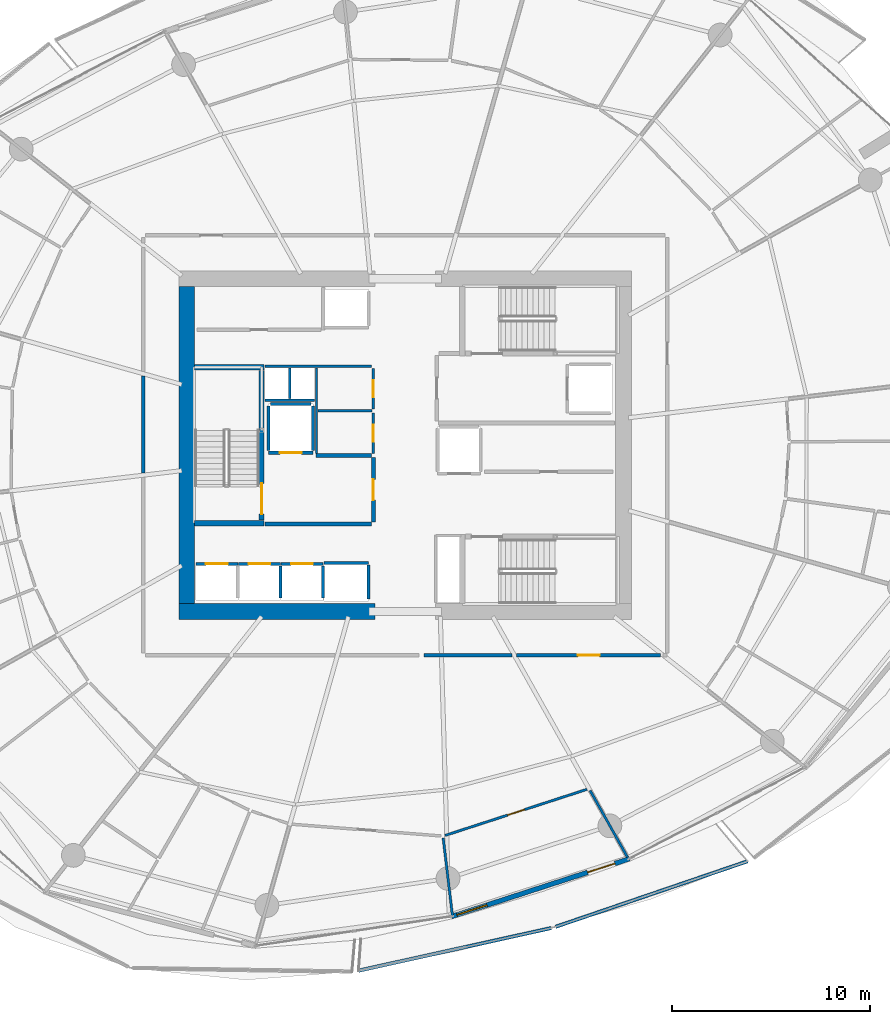
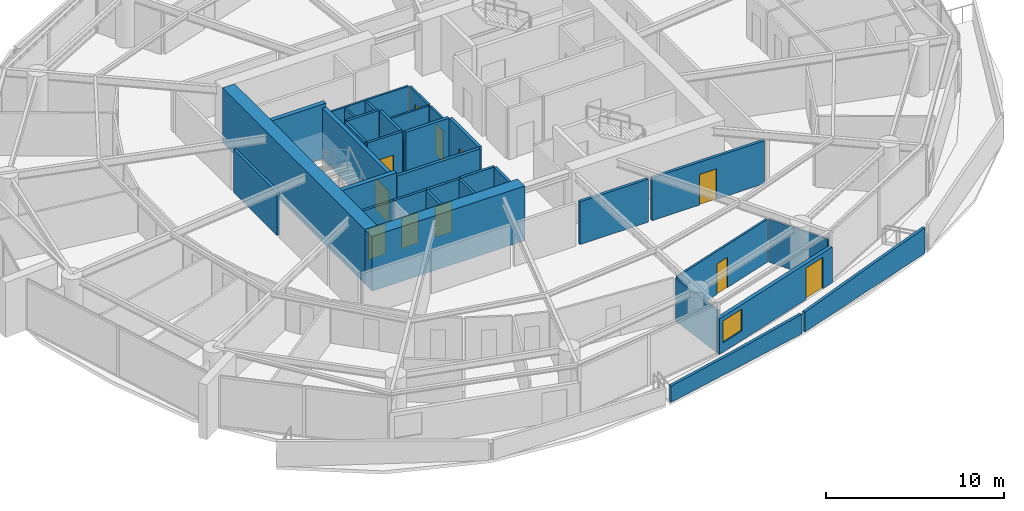
# One storey, part 12 of 22: 35 walls, 11 doors, 1 window, 12 openings.
"""IFC4 building model written with IfcOpenShell, lengths in metres."""

from ifc_helpers import new_model, si_unit, direction, frame, frame_2d, origin, place, context, subcontext, project, spatial, polyline, rectangle, outline, extrude, material, layer, layer_set, type_object, element, fill, save


model = new_model("IFC4")

# Units and contexts
model_context = context("Model", 3, precision=1e-05, world=origin(), true_north=direction((0.0, 1.0)))
body_context = subcontext(model_context, "Body", "Model", "MODEL_VIEW")
ifc_project = project(units=[si_unit("LENGTHUNIT", "METRE"), si_unit("AREAUNIT", "SQUARE_METRE"), si_unit("VOLUMEUNIT", "CUBIC_METRE"), si_unit("PLANEANGLEUNIT", "RADIAN"), si_unit("MASSUNIT", "GRAM", prefix="KILO")], contexts=[model_context])

# Site, building, storey
site_placement = place(None, origin())
site = spatial("IfcSite", under=ifc_project, at=site_placement, CompositionType="ELEMENT")
building_placement = place(site_placement, origin())
building = spatial("IfcBuilding", under=site, at=building_placement, Name="Kazma Halo Residences", CompositionType="ELEMENT")
storey_placement = place(building_placement, frame((0.0, 0.0, 93.89990234375)))
storey = spatial("IfcBuildingStorey", under=building, at=storey_placement, Name="L23", CompositionType="ELEMENT", Elevation=93.89990234375)

# Walls
ifc_material_1 = material(Name="White Concrete C50/60 Balustrade", Category="concrete")
ifc_layer_1 = layer(ifc_material_1, 0.179931640625)
ifc_layer_set_1 = layer_set([ifc_layer_1], Name="White Concrete C50/60 Balustrade")
wall_type_1 = type_object("IfcWallType", Name="WL-BAL-WAVE-180", PredefinedType="PARAPET", material=ifc_layer_set_1)
wall_1_placement = place(storey_placement, frame((46.0751953125, 15.47314453125, 0.0), z_axis=(0.0, 0.0, 1.0), x_axis=(0.976378265654, 0.216068235423, 0.0)))
element("IfcWall", 1, at=wall_1_placement, inside=storey, type_object=wall_type_1, Name="L23 white wave balustrade wall SSE.1", PredefinedType="PARAPET", context=body_context, shape_type="SweptSolid", body=[
    extrude(outline(polyline([(0.0, 0.0), (9.95458984375, 0.0), (9.95458984375, 1.34814453125), (4.977294921875, 1.18212890625), (0.0, 1.1201171875), (0.0, 0.0)])), frame((0.0, 0.08984375, 0.0), z_axis=(0.0, -1.0, 0.0), x_axis=(1.0, 0.0, 0.0)), (0.0, 0.0, 1.0), 0.179931640625),
])
wall_2_placement = place(storey_placement, frame((56.025390625, 17.688720703125, 0.0), z_axis=(0.0, 0.0, 1.0), x_axis=(0.94637474678, 0.323070949881, 0.0)))
element("IfcWall", 2, at=wall_2_placement, inside=storey, type_object=wall_type_1, Name="L23 white wave balustrade wall SSE.2", PredefinedType="PARAPET", context=body_context, shape_type="SweptSolid", body=[
    extrude(outline(polyline([(0.0, 0.0), (10.240966796875, 0.0), (10.240966796875, 1.7470703125), (5.12060546875, 1.56201171875), (0.0, 1.34814453125), (0.0, 0.0)])), frame((0.0, 0.08984375, 0.0), z_axis=(0.0, -1.0, 0.0), x_axis=(1.0, 0.0, 0.0)), (0.0, 0.0, 1.0), 0.179931640625),
])
ifc_material_2 = material(Name="Concrete C80/95", Category="concrete")
ifc_layer_2 = layer(ifc_material_2, 0.800048828125)
ifc_layer_set_2 = layer_set([ifc_layer_2], Name="Concrete C80/95")
wall_type_2 = type_object("IfcWallType", Name="WL-CORE-800", PredefinedType="SHEAR", material=ifc_layer_set_2)
wall_3_placement = place(storey_placement, frame((37.0, 33.60009765625, 0.0), z_axis=(0.0, 0.0, 1.0), x_axis=(1.0, 0.0, 0.0)))
element("IfcWall", 3, at=wall_3_placement, inside=storey, type_object=wall_type_2, Name="L23 central core shear wall SW", PredefinedType="SHEAR", context=body_context, shape_type="SweptSolid", body=[
    extrude(rectangle(XDim=9.89990234375, YDim=0.800048828125, at=frame_2d((4.949951171875, 0.0))), origin(), (0.0, 0.0, 1.0), 3.75),
])
wall_4_placement = place(storey_placement, frame((37.39990234375, 34.0, 0.0), z_axis=(0.0, 0.0, 1.0), x_axis=(0.0, 1.0, 0.0)))
element("IfcWall", 4, at=wall_4_placement, inside=storey, type_object=wall_type_2, Name="L23 central core shear wall W", PredefinedType="SHEAR", context=body_context, shape_type="SweptSolid", body=[
    extrude(rectangle(XDim=16.0, YDim=0.800048828125, at=frame_2d((8.0, 0.0))), origin(), (0.0, 0.0, 1.0), 3.75),
])
ifc_material_3 = material(Name="Concrete C60/75", Category="concrete")
ifc_layer_3 = layer(ifc_material_3, 0.280029296875)
ifc_layer_set_3 = layer_set([ifc_layer_3], Name="Concrete C60/75")
wall_type_3 = type_object("IfcWallType", Name="WL-CORE-ST-280", PredefinedType="SHEAR", material=ifc_layer_set_3)
for number, where, z_axis, x_axis, name in (
    (5, (37.800048828125, 38.06005859375, 0.0), (0.0, 0.0, 1.0), (1.0, 0.0, 0.0), "L23 stairwell bearing wall ST01-S"),
    (6, (37.800048828125, 45.93994140625, 0.0), (0.0, 0.0, 1.0), (1.0, 0.0, 0.0), "L23 stairwell bearing wall ST01-N"),
):
    element("IfcWall", number, at=place(storey_placement, frame(where, z_axis=z_axis, x_axis=x_axis)), inside=storey, type_object=wall_type_3, Name=name, PredefinedType="SHEAR", context=body_context, shape_type="SweptSolid", body=[
        extrude(rectangle(XDim=3.5, YDim=0.280029296875, at=frame_2d((1.75, 0.0))), origin(), (0.0, 0.0, 1.0), 3.75),
    ])
ifc_material_4 = material(Name="Acoustic Twin-Stud Gypsum")
ifc_layer_4 = layer(ifc_material_4, 0.179931640625)
ifc_layer_set_4 = layer_set([ifc_layer_4], Name="Acoustic Twin-Stud Gypsum")
wall_type_4 = type_object("IfcWallType", Name="WL-DEM-180", PredefinedType="PARTITIONING", material=ifc_layer_set_4)
wall_5_placement = place(storey_placement, frame((35.199951171875, 45.489990234375, 0.0), z_axis=(0.0, 0.0, 1.0), x_axis=(0.0, -1.0, 0.0)))
element("IfcWall", 7, at=wall_5_placement, inside=storey, type_object=wall_type_4, Name="L23 Apartment 1 inner wall 6", PredefinedType="PARTITIONING", context=body_context, shape_type="SweptSolid", body=[
    extrude(rectangle(XDim=4.885009765625, YDim=0.179931640625, at=frame_2d((2.4423828125, 0.0))), origin(), (0.0, 0.0, 1.0), 2.940185546875),
])

# Wall, opening, door
wall_6_placement = place(storey_placement, frame((54.056396484375, 31.39990234375, 0.0), z_axis=(0.0, 0.0, 1.0), x_axis=(1.0, 0.0, 0.0)))
wall_6 = element("IfcWall", 8, at=wall_6_placement, inside=storey, type_object=wall_type_4, Name="L23 Apartment 2 entrance corridor wall", PredefinedType="PARTITIONING", context=body_context, shape_type="SweptSolid", body=[
    extrude(rectangle(XDim=7.26953125, YDim=0.179931640625, at=frame_2d((3.634765625, 0.0))), origin(), (0.0, 0.0, 1.0), 2.940185546875),
])
opening_1_placement = place(wall_6_placement, frame((3.0849609375, 0.0, 0.0)))
opening_1 = element("IfcOpeningElement", 9, at=opening_1_placement, cuts=wall_6, Name="Opening DA-1100", PredefinedType="OPENING", context=body_context, shape_type="SweptSolid", body=[
    extrude(rectangle(XDim=1.10009765625, YDim=2.10009765625, at=frame_2d((0.550048828125, 1.050048828125))), frame((0.0, 0.099853515625, 0.0), z_axis=(0.0, -1.0, 0.0), x_axis=(1.0, 0.0, 0.0)), (0.0, 0.0, 1.0), 0.199951171875),
])
ifc_material_5 = material(Name="Acoustic Walnut Fire Leaf")
door_type_1 = type_object("IfcDoorType", Name="DR-FD60-1100", OperationType="NOTDEFINED", PredefinedType="DOOR", material=ifc_material_5)
door_1_placement = place(opening_1_placement, origin())
door_1 = element("IfcDoor", 10, at=door_1_placement, inside=storey, type_object=door_type_1, Name="L23 Apartment 2 entrance fire door", OperationType="SINGLE_SWING_RIGHT", OverallHeight=2.10009765625, OverallWidth=1.10009765625, PredefinedType="DOOR", context=body_context, shape_type="SweptSolid", body=[
    extrude(rectangle(XDim=1.10009765625, YDim=2.10009765625, at=frame_2d((0.550048828125, 1.050048828125))), frame((0.0, 0.02490234375, 0.0), z_axis=(0.0, -1.0, 0.0), x_axis=(1.0, 0.0, 0.0)), (0.0, 0.0, 1.0), 0.050048828125),
])
fill(opening_1, door_1)

# Wall
wall_7_placement = place(storey_placement, frame((49.37451171875, 31.39990234375, 0.0), z_axis=(0.0, 0.0, 1.0), x_axis=(1.0, 0.0, 0.0)))
element("IfcWall", 11, at=wall_7_placement, inside=storey, type_object=wall_type_4, Name="L23 Apartment 2 inner wall 11", PredefinedType="PARTITIONING", context=body_context, shape_type="SweptSolid", body=[
    extrude(rectangle(XDim=4.44189453125, YDim=0.179931640625, at=frame_2d((2.220947265625, 0.0))), origin(), (0.0, 0.0, 1.0), 2.940185546875),
])

# Wall, openings, door, window
ifc_material_6 = material(Name="Insulated Pale-Metal Composite Wall")
ifc_layer_5 = layer(ifc_material_6, 0.239990234375)
ifc_layer_set_5 = layer_set([ifc_layer_5], Name="Insulated Pale-Metal Composite Wall")
wall_type_5 = type_object("IfcWallType", Name="WL-EXT-HOST-240", PredefinedType="SOLIDWALL", material=ifc_layer_set_5)
wall_8_placement = place(storey_placement, frame((50.76708984375, 18.202880859375, 0.0), z_axis=(0.0, 0.0, 1.0), x_axis=(0.951052494852, 0.30902937083, 0.0)))
wall_8 = element("IfcWall", 12, at=wall_8_placement, inside=storey, type_object=wall_type_5, Name="L23 exterior terrace-access wall B12", PredefinedType="SOLIDWALL", context=body_context, shape_type="SweptSolid", body=[
    extrude(rectangle(XDim=9.44384765625, YDim=0.239990234375, at=frame_2d((4.721923828125, 0.0))), origin(), (0.0, 0.0, 1.0), 2.4501953125),
])
opening_2_placement = place(wall_8_placement, frame((7.223876953125, 0.0, 0.0)))
opening_2 = element("IfcOpeningElement", 13, at=opening_2_placement, cuts=wall_8, Name="Opening DTR-1600", PredefinedType="OPENING", context=body_context, shape_type="SweptSolid", body=[
    extrude(rectangle(XDim=1.449951171875, YDim=2.14990234375, at=frame_2d((0.72509765625, 1.074951171875))), frame((0.0, 0.1298828125, 0.0), z_axis=(0.0, -1.0, 0.0), x_axis=(1.0, 0.0, 0.0)), (0.0, 0.0, 1.0), 0.260009765625),
])
opening_3_placement = place(wall_8_placement, frame((0.280029296875, 0.0, 0.64990234375)))
opening_3 = element("IfcOpeningElement", 14, at=opening_3_placement, cuts=wall_8, Name="Opening W-1800", PredefinedType="OPENING", context=body_context, shape_type="SweptSolid", body=[
    extrude(rectangle(XDim=1.60009765625, YDim=1.5, at=frame_2d((0.800048828125, 0.75))), frame((0.0, 0.1298828125, 0.0), z_axis=(0.0, -1.0, 0.0), x_axis=(1.0, 0.0, 0.0)), (0.0, 0.0, 1.0), 0.260009765625),
])
ifc_material_7 = material(Name="Aluminium AW-6063 T6 Double-Glazed Terrace Door", Category="aluminium")
door_type_2 = type_object("IfcDoorType", Name="DR-EXT-TERR-1600", OperationType="NOTDEFINED", PredefinedType="DOOR", material=ifc_material_7)
door_2_placement = place(opening_2_placement, origin())
door_2 = element("IfcDoor", 15, at=door_2_placement, inside=storey, type_object=door_type_2, Name="L23 B12 balcony terrace door", OperationType="DOUBLE_DOOR_SLIDING", OverallHeight=2.14990234375, OverallWidth=1.449951171875, PredefinedType="DOOR", context=body_context, shape_type="SweptSolid", body=[
    extrude(rectangle(XDim=1.449951171875, YDim=2.14990234375, at=frame_2d((0.72509765625, 1.074951171875))), frame((0.0, 0.02490234375, 0.0), z_axis=(0.0, -1.0, 0.0), x_axis=(1.0, 0.0, 0.0)), (0.0, 0.0, 1.0), 0.050048828125),
])
fill(opening_2, door_2)
ifc_material_8 = material(Name="Clear Triple-Silver Low-E Glass in Aluminium AW-6063 T6 Frame", Category="aluminium")
window_type = type_object("IfcWindowType", Name="WIN-RES-1800", PartitioningType="DOUBLE_PANEL_VERTICAL", PredefinedType="WINDOW", material=ifc_material_8)
window_placement = place(opening_3_placement, origin())
window = element("IfcWindow", 16, at=window_placement, inside=storey, type_object=window_type, Name="L23 B12 apartment window", OverallHeight=1.5, OverallWidth=1.60009765625, PartitioningType="SINGLE_PANEL", PredefinedType="WINDOW", context=body_context, shape_type="SweptSolid", body=[
    extrude(rectangle(XDim=1.60009765625, YDim=1.5, at=frame_2d((0.800048828125, 0.75))), frame((0.0, 0.030029296875, 0.0), z_axis=(0.0, -1.0, 0.0), x_axis=(1.0, 0.0, 0.0)), (0.0, 0.0, 1.0), 0.06005859375),
])
fill(opening_3, window)

# Wall, opening, door
ifc_material_9 = material(Name="Fire-Rated Blockwork Masonry", Category="masonry")
ifc_layer_6 = layer(ifc_material_9, 0.199951171875)
ifc_layer_set_6 = layer_set([ifc_layer_6], Name="Fire-Rated Blockwork Masonry")
wall_type_6 = type_object("IfcWallType", Name="WL-FLB-200", PredefinedType="PARTITIONING", material=ifc_layer_set_6)
wall_9_placement = place(storey_placement, frame((37.864990234375, 36.0048828125, 0.0), z_axis=(0.0, 0.0, 1.0), x_axis=(1.0, 0.0, 0.0)))
wall_9 = element("IfcWall", 17, at=wall_9_placement, inside=storey, type_object=wall_type_6, Name="L23 lift shaft PL-01 front wall", PredefinedType="PARTITIONING", context=body_context, shape_type="SweptSolid", body=[
    extrude(rectangle(XDim=2.110107421875, YDim=0.159912109375, at=frame_2d((1.05517578125, 0.0))), origin(), (0.0, 0.0, 1.0), 3.5),
])
opening_4_placement = place(wall_9_placement, frame((0.5048828125, 0.0, 0.0)))
opening_4 = element("IfcOpeningElement", 18, at=opening_4_placement, cuts=wall_9, Name="Opening LD-PL-01", PredefinedType="OPENING", context=body_context, shape_type="SweptSolid", body=[
    extrude(rectangle(XDim=1.10009765625, YDim=2.10009765625, at=frame_2d((0.550048828125, 1.050048828125))), frame((0.0, 0.08984375, 0.0), z_axis=(0.0, -1.0, 0.0), x_axis=(1.0, 0.0, 0.0)), (0.0, 0.0, 1.0), 0.179931640625),
])
ifc_material_10 = material(Name="Stainless Steel Fire-Rated", Category="steel")
door_type_3 = type_object("IfcDoorType", Name="DR-LIFT-SLD-1100", OperationType="DOUBLE_DOOR_SLIDING", PredefinedType="DOOR", material=ifc_material_10)
door_3_placement = place(opening_4_placement, origin())
door_3 = element("IfcDoor", 19, at=door_3_placement, inside=storey, type_object=door_type_3, Name="L23 lift PL-01 sliding landing door", OperationType="DOUBLE_DOOR_SLIDING", OverallHeight=2.10009765625, OverallWidth=1.10009765625, PredefinedType="DOOR", context=body_context, shape_type="SweptSolid", body=[
    extrude(rectangle(XDim=1.10009765625, YDim=2.10009765625, at=frame_2d((0.550048828125, 1.050048828125))), frame((0.0, 0.02490234375, 0.0), z_axis=(0.0, -1.0, 0.0), x_axis=(1.0, 0.0, 0.0)), (0.0, 0.0, 1.0), 0.050048828125),
])
fill(opening_4, door_3)

wall_10_placement = place(storey_placement, frame((40.014892578125, 36.0048828125, 0.0), z_axis=(0.0, 0.0, 1.0), x_axis=(1.0, 0.0, 0.0)))
wall_10 = element("IfcWall", 20, at=wall_10_placement, inside=storey, type_object=wall_type_6, Name="L23 lift shaft PL-02 front wall", PredefinedType="PARTITIONING", context=body_context, shape_type="SweptSolid", body=[
    extrude(rectangle(XDim=2.110107421875, YDim=0.159912109375, at=frame_2d((1.05517578125, 0.0))), origin(), (0.0, 0.0, 1.0), 3.5),
])
opening_5_placement = place(wall_10_placement, frame((0.5048828125, 0.0, 0.0)))
opening_5 = element("IfcOpeningElement", 21, at=opening_5_placement, cuts=wall_10, Name="Opening LD-PL-02", PredefinedType="OPENING", context=body_context, shape_type="SweptSolid", body=[
    extrude(rectangle(XDim=1.10009765625, YDim=2.10009765625, at=frame_2d((0.550048828125, 1.050048828125))), frame((0.0, 0.08984375, 0.0), z_axis=(0.0, -1.0, 0.0), x_axis=(1.0, 0.0, 0.0)), (0.0, 0.0, 1.0), 0.179931640625),
])
door_4_placement = place(opening_5_placement, origin())
door_4 = element("IfcDoor", 22, at=door_4_placement, inside=storey, type_object=door_type_3, Name="L23 lift PL-02 sliding landing door", OperationType="DOUBLE_DOOR_SLIDING", OverallHeight=2.10009765625, OverallWidth=1.10009765625, PredefinedType="DOOR", context=body_context, shape_type="SweptSolid", body=[
    extrude(rectangle(XDim=1.10009765625, YDim=2.10009765625, at=frame_2d((0.550048828125, 1.050048828125))), frame((0.0, 0.02490234375, 0.0), z_axis=(0.0, -1.0, 0.0), x_axis=(1.0, 0.0, 0.0)), (0.0, 0.0, 1.0), 0.050048828125),
])
fill(opening_5, door_4)

# Wall
wall_11_placement = place(storey_placement, frame((42.125, 34.294921875, 0.0), z_axis=(0.0, 0.0, 1.0), x_axis=(0.0, 1.0, 0.0)))
element("IfcWall", 23, at=wall_11_placement, inside=storey, type_object=wall_type_6, Name="L23 lift shaft PL-02 side wall E", PredefinedType="PARTITIONING", context=body_context, shape_type="SweptSolid", body=[
    extrude(rectangle(XDim=1.610107421875, YDim=0.159912109375, at=frame_2d((0.80517578125, 0.0))), origin(), (0.0, 0.0, 1.0), 3.5),
])

# Wall, opening, door
wall_12_placement = place(storey_placement, frame((42.1650390625, 36.0048828125, 0.0), z_axis=(0.0, 0.0, 1.0), x_axis=(1.0, 0.0, 0.0)))
wall_12 = element("IfcWall", 24, at=wall_12_placement, inside=storey, type_object=wall_type_6, Name="L23 lift shaft PL-03 front wall", PredefinedType="PARTITIONING", context=body_context, shape_type="SweptSolid", body=[
    extrude(rectangle(XDim=2.10986328125, YDim=0.159912109375, at=frame_2d((1.054931640625, 0.0))), origin(), (0.0, 0.0, 1.0), 3.5),
])
opening_6_placement = place(wall_12_placement, frame((0.5048828125, 0.0, 0.0)))
opening_6 = element("IfcOpeningElement", 25, at=opening_6_placement, cuts=wall_12, Name="Opening LD-PL-03", PredefinedType="OPENING", context=body_context, shape_type="SweptSolid", body=[
    extrude(rectangle(XDim=1.10009765625, YDim=2.10009765625, at=frame_2d((0.550048828125, 1.050048828125))), frame((0.0, 0.08984375, 0.0), z_axis=(0.0, -1.0, 0.0), x_axis=(1.0, 0.0, 0.0)), (0.0, 0.0, 1.0), 0.179931640625),
])
door_5_placement = place(opening_6_placement, origin())
door_5 = element("IfcDoor", 26, at=door_5_placement, inside=storey, type_object=door_type_3, Name="L23 lift PL-03 sliding landing door", OperationType="DOUBLE_DOOR_SLIDING", OverallHeight=2.10009765625, OverallWidth=1.10009765625, PredefinedType="DOOR", context=body_context, shape_type="SweptSolid", body=[
    extrude(rectangle(XDim=1.10009765625, YDim=2.10009765625, at=frame_2d((0.550048828125, 1.050048828125))), frame((0.0, 0.02490234375, 0.0), z_axis=(0.0, -1.0, 0.0), x_axis=(1.0, 0.0, 0.0)), (0.0, 0.0, 1.0), 0.050048828125),
])
fill(opening_6, door_5)

# Walls
wall_13_placement = place(storey_placement, frame((44.27490234375, 34.294921875, 0.0), z_axis=(0.0, 0.0, 1.0), x_axis=(0.0, 1.0, 0.0)))
element("IfcWall", 27, at=wall_13_placement, inside=storey, type_object=wall_type_6, Name="L23 lift shaft PL-03 side wall E", PredefinedType="PARTITIONING", context=body_context, shape_type="SweptSolid", body=[
    extrude(rectangle(XDim=1.610107421875, YDim=0.159912109375, at=frame_2d((0.80517578125, 0.0))), origin(), (0.0, 0.0, 1.0), 3.5),
])
wall_14_placement = place(storey_placement, frame((44.320068359375, 36.054931640625, 0.0), z_axis=(0.0, 0.0, 1.0), x_axis=(1.0, 0.0, 0.0)))
element("IfcWall", 28, at=wall_14_placement, inside=storey, type_object=wall_type_6, Name="L23 lift shaft PX-02 front wall", PredefinedType="PARTITIONING", context=body_context, shape_type="SweptSolid", body=[
    extrude(rectangle(XDim=2.260009765625, YDim=0.159912109375, at=frame_2d((1.1298828125, 0.0))), origin(), (0.0, 0.0, 1.0), 3.5),
])
wall_15_placement = place(storey_placement, frame((46.580078125, 34.2451171875, 0.0), z_axis=(0.0, 0.0, 1.0), x_axis=(0.0, 1.0, 0.0)))
element("IfcWall", 29, at=wall_15_placement, inside=storey, type_object=wall_type_6, Name="L23 lift shaft PX-02 side wall E", PredefinedType="PARTITIONING", context=body_context, shape_type="SweptSolid", body=[
    extrude(rectangle(XDim=1.7099609375, YDim=0.159912109375, at=frame_2d((0.85498046875, 0.0))), origin(), (0.0, 0.0, 1.0), 3.5),
])

# Wall, opening, door
wall_16_placement = place(storey_placement, frame((43.780029296875, 41.6201171875, 0.0), z_axis=(0.0, 0.0, 1.0), x_axis=(-1.0, 0.0, 0.0)))
wall_16 = element("IfcWall", 30, at=wall_16_placement, inside=storey, type_object=wall_type_6, Name="L23 lift shaft FL-01 front wall", PredefinedType="PARTITIONING", context=body_context, shape_type="SweptSolid", body=[
    extrude(rectangle(XDim=2.260009765625, YDim=0.159912109375, at=frame_2d((1.1298828125, 0.0))), origin(), (0.0, 0.0, 1.0), 3.5),
])
opening_7_placement = place(wall_16_placement, frame((0.580078125, 0.0, 0.0)))
opening_7 = element("IfcOpeningElement", 31, at=opening_7_placement, cuts=wall_16, Name="Opening LD-FL-01", PredefinedType="OPENING", context=body_context, shape_type="SweptSolid", body=[
    extrude(rectangle(XDim=1.10009765625, YDim=2.10009765625, at=frame_2d((0.550048828125, 1.050048828125))), frame((0.0, 0.08984375, 0.0), z_axis=(0.0, -1.0, 0.0), x_axis=(1.0, 0.0, 0.0)), (0.0, 0.0, 1.0), 0.179931640625),
])
door_6_placement = place(opening_7_placement, origin())
door_6 = element("IfcDoor", 32, at=door_6_placement, inside=storey, type_object=door_type_3, Name="L23 lift FL-01 sliding landing door", OperationType="DOUBLE_DOOR_SLIDING", OverallHeight=2.10009765625, OverallWidth=1.10009765625, PredefinedType="DOOR", context=body_context, shape_type="SweptSolid", body=[
    extrude(rectangle(XDim=1.10009765625, YDim=2.10009765625, at=frame_2d((0.550048828125, 1.050048828125))), frame((0.0, 0.02490234375, 0.0), z_axis=(0.0, -1.0, 0.0), x_axis=(1.0, 0.0, 0.0)), (0.0, 0.0, 1.0), 0.050048828125),
])
fill(opening_7, door_6)

# Walls
for number, where, z_axis, x_axis, name in (
    (33, (43.780029296875, 41.719970703125, 0.0), (0.0, 0.0, 1.0), (0.0, 1.0, 0.0), "L23 lift shaft FL-01 side wall E"),
    (34, (41.52001953125, 41.719970703125, 0.0), (0.0, 0.0, 1.0), (0.0, 1.0, 0.0), "L23 lift shaft FL-01 side wall W"),
):
    element("IfcWall", number, at=place(storey_placement, frame(where, z_axis=z_axis, x_axis=x_axis)), inside=storey, type_object=wall_type_6, Name=name, PredefinedType="PARTITIONING", context=body_context, shape_type="SweptSolid", body=[
        extrude(rectangle(XDim=2.260009765625, YDim=0.159912109375, at=frame_2d((1.1298828125, 0.0))), origin(), (0.0, 0.0, 1.0), 3.5),
    ])
wall_17_placement = place(storey_placement, frame((41.6201171875, 44.080078125, 0.0), z_axis=(0.0, 0.0, 1.0), x_axis=(1.0, 0.0, 0.0)))
element("IfcWall", 35, at=wall_17_placement, inside=storey, type_object=wall_type_6, Name="L23 lift shaft FL-01 side wall N", PredefinedType="PARTITIONING", context=body_context, shape_type="SweptSolid", body=[
    extrude(rectangle(XDim=2.059814453125, YDim=0.159912109375, at=frame_2d((1.02978515625, 0.0))), origin(), (0.0, 0.0, 1.0), 3.5),
])
wall_18_placement = place(storey_placement, frame((41.35009765625, 38.02001953125, 0.0), z_axis=(0.0, 0.0, 1.0), x_axis=(1.0, 0.0, 0.0)))
element("IfcWall", 36, at=wall_18_placement, inside=storey, type_object=wall_type_6, Name="L23 west firefighting lobby south smoke wall", PredefinedType="PARTITIONING", context=body_context, shape_type="SweptSolid", body=[
    extrude(rectangle(XDim=5.369873046875, YDim=0.199951171875, at=frame_2d((2.68505859375, 0.0))), origin(), (0.0, 0.0, 1.0), 3.5),
])
wall_19_placement = place(storey_placement, frame((43.919921875, 41.47998046875, 0.0), z_axis=(0.0, 0.0, 1.0), x_axis=(1.0, 0.0, 0.0)))
element("IfcWall", 37, at=wall_19_placement, inside=storey, type_object=wall_type_6, Name="L23 west firefighting lobby north smoke wall", PredefinedType="PARTITIONING", context=body_context, shape_type="SweptSolid", body=[
    extrude(rectangle(XDim=2.800048828125, YDim=0.199951171875, at=frame_2d((1.39990234375, 0.0))), origin(), (0.0, 0.0, 1.0), 3.5),
])

# Wall, opening, door
wall_20_placement = place(storey_placement, frame((46.820068359375, 38.1201171875, 0.0), z_axis=(0.0, 0.0, 1.0), x_axis=(0.0, 1.0, 0.0)))
wall_20 = element("IfcWall", 38, at=wall_20_placement, inside=storey, type_object=wall_type_6, Name="L23 west firefighting lobby smoke wall", PredefinedType="PARTITIONING", context=body_context, shape_type="SweptSolid", body=[
    extrude(rectangle(XDim=3.259765625, YDim=0.199951171875, at=frame_2d((1.6298828125, 0.0))), origin(), (0.0, 0.0, 1.0), 3.5),
])
opening_8_placement = place(wall_20_placement, frame((1.10498046875, 0.0, 0.0)))
opening_8 = element("IfcOpeningElement", 39, at=opening_8_placement, cuts=wall_20, Name="Opening D-FLW", PredefinedType="OPENING", context=body_context, shape_type="SweptSolid", body=[
    extrude(rectangle(XDim=1.050048828125, YDim=2.10009765625, at=frame_2d((0.52490234375, 1.050048828125))), frame((0.0, 0.10986328125, 0.0), z_axis=(0.0, -1.0, 0.0), x_axis=(1.0, 0.0, 0.0)), (0.0, 0.0, 1.0), 0.219970703125),
])
ifc_material_11 = material(Name="Fire-Rated Steel Leaf", Category="steel")
door_type_4 = type_object("IfcDoorType", Name="DR-FD90-1050", OperationType="NOTDEFINED", PredefinedType="DOOR", material=ifc_material_11)
door_7_placement = place(opening_8_placement, origin())
door_7 = element("IfcDoor", 40, at=door_7_placement, inside=storey, type_object=door_type_4, Name="L23 west firefighting lobby smoke door", OperationType="SINGLE_SWING_RIGHT", OverallHeight=2.10009765625, OverallWidth=1.050048828125, PredefinedType="DOOR", context=body_context, shape_type="SweptSolid", body=[
    extrude(rectangle(XDim=1.050048828125, YDim=2.10009765625, at=frame_2d((0.52490234375, 1.050048828125))), frame((0.0, 0.02490234375, 0.0), z_axis=(0.0, -1.0, 0.0), x_axis=(1.0, 0.0, 0.0)), (0.0, 0.0, 1.0), 0.050048828125),
])
fill(opening_8, door_7)

# Walls
ifc_material_12 = material(Name="Gypsum Plasterboard Partition")
ifc_layer_7 = layer(ifc_material_12, 0.125)
ifc_layer_set_7 = layer_set([ifc_layer_7], Name="Gypsum Plasterboard Partition")
wall_type_7 = type_object("IfcWallType", Name="WL-PART-125", PredefinedType="PARTITIONING", material=ifc_layer_set_7)
wall_21_placement = place(storey_placement, frame((41.360107421875, 45.97998046875, 0.0), z_axis=(0.0, 0.0, 1.0), x_axis=(1.0, 0.0, 0.0)))
element("IfcWall", 41, at=wall_21_placement, inside=storey, type_object=wall_type_7, Name="L23 core north riser wall", PredefinedType="PARTITIONING", context=body_context, shape_type="SweptSolid", body=[
    extrude(rectangle(XDim=5.35986328125, YDim=0.125, at=frame_2d((2.679931640625, 0.0))), origin(), (0.0, 0.0, 1.0), 2.940185546875),
])
wall_22_placement = place(storey_placement, frame((41.360107421875, 44.260009765625, 0.0), z_axis=(0.0, 0.0, 1.0), x_axis=(1.0, 0.0, 0.0)))
element("IfcWall", 42, at=wall_22_placement, inside=storey, type_object=wall_type_7, Name="L23 core riser south wall", PredefinedType="PARTITIONING", context=body_context, shape_type="SweptSolid", body=[
    extrude(rectangle(XDim=2.5, YDim=0.125, at=frame_2d((1.25, 0.0))), origin(), (0.0, 0.0, 1.0), 2.940185546875),
])
wall_23_placement = place(storey_placement, frame((42.60009765625, 44.35009765625, 0.0), z_axis=(0.0, 0.0, 1.0), x_axis=(0.0, 1.0, 0.0)))
element("IfcWall", 43, at=wall_23_placement, inside=storey, type_object=wall_type_7, Name="L23 core riser divider wall", PredefinedType="PARTITIONING", context=body_context, shape_type="SweptSolid", body=[
    extrude(rectangle(XDim=1.5498046875, YDim=0.125, at=frame_2d((0.77490234375, 0.0))), origin(), (0.0, 0.0, 1.0), 2.940185546875),
])
wall_24_placement = place(storey_placement, frame((43.949951171875, 41.580078125, 0.0), z_axis=(0.0, 0.0, 1.0), x_axis=(0.0, 1.0, 0.0)))
element("IfcWall", 44, at=wall_24_placement, inside=storey, type_object=wall_type_7, Name="L23 core service west wall", PredefinedType="PARTITIONING", context=body_context, shape_type="SweptSolid", body=[
    extrude(rectangle(XDim=4.31982421875, YDim=0.125, at=frame_2d((2.159912109375, 0.0))), origin(), (0.0, 0.0, 1.0), 2.940185546875),
])
wall_25_placement = place(storey_placement, frame((44.030029296875, 43.72998046875, 0.0), z_axis=(0.0, 0.0, 1.0), x_axis=(1.0, 0.0, 0.0)))
element("IfcWall", 45, at=wall_25_placement, inside=storey, type_object=wall_type_7, Name="L23 switch/IDF divider", PredefinedType="PARTITIONING", context=body_context, shape_type="SweptSolid", body=[
    extrude(rectangle(XDim=2.7099609375, YDim=0.125, at=frame_2d((1.35498046875, 0.0))), origin(), (0.0, 0.0, 1.0), 2.940185546875),
])

# Wall, opening, door
wall_26_placement = place(storey_placement, frame((46.820068359375, 41.580078125, 0.0), z_axis=(0.0, 0.0, 1.0), x_axis=(0.0, 1.0, 0.0)))
wall_26 = element("IfcWall", 46, at=wall_26_placement, inside=storey, type_object=wall_type_7, Name="L23 electrical switch room east wall", PredefinedType="PARTITIONING", context=body_context, shape_type="SweptSolid", body=[
    extrude(rectangle(XDim=2.0498046875, YDim=0.125, at=frame_2d((1.02490234375, 0.0))), origin(), (0.0, 0.0, 1.0), 2.940185546875),
])
opening_9_placement = place(wall_26_placement, frame((0.60009765625, 0.0, 0.0)))
opening_9 = element("IfcOpeningElement", 47, at=opening_9_placement, cuts=wall_26, Name="Opening DS-850", PredefinedType="OPENING", context=body_context, shape_type="SweptSolid", body=[
    extrude(rectangle(XDim=0.85009765625, YDim=2.06005859375, at=frame_2d((0.425048828125, 1.030029296875))), frame((0.0, 0.072509765625, 0.0), z_axis=(0.0, -1.0, 0.0), x_axis=(1.0, 0.0, 0.0)), (0.0, 0.0, 1.0), 0.14501953125),
])
ifc_material_13 = material(Name="Painted Steel Access Leaf", Category="steel")
door_type_5 = type_object("IfcDoorType", Name="DR-SVC-850", OperationType="NOTDEFINED", PredefinedType="DOOR", material=ifc_material_13)
door_8_placement = place(opening_9_placement, origin())
door_8 = element("IfcDoor", 48, at=door_8_placement, inside=storey, type_object=door_type_5, Name="L23 electrical switch room door", OperationType="SINGLE_SWING_RIGHT", OverallHeight=2.06005859375, OverallWidth=0.85009765625, PredefinedType="DOOR", context=body_context, shape_type="SweptSolid", body=[
    extrude(rectangle(XDim=0.85009765625, YDim=2.06005859375, at=frame_2d((0.425048828125, 1.030029296875))), frame((0.0, 0.02490234375, 0.0), z_axis=(0.0, -1.0, 0.0), x_axis=(1.0, 0.0, 0.0)), (0.0, 0.0, 1.0), 0.050048828125),
])
fill(opening_9, door_8)

wall_27_placement = place(storey_placement, frame((46.820068359375, 43.830078125, 0.0), z_axis=(0.0, 0.0, 1.0), x_axis=(0.0, 1.0, 0.0)))
wall_27 = element("IfcWall", 49, at=wall_27_placement, inside=storey, type_object=wall_type_7, Name="L23 telecom IDF room east wall", PredefinedType="PARTITIONING", context=body_context, shape_type="SweptSolid", body=[
    extrude(rectangle(XDim=2.0498046875, YDim=0.125, at=frame_2d((1.02490234375, 0.0))), origin(), (0.0, 0.0, 1.0), 2.940185546875),
])
opening_10_placement = place(wall_27_placement, frame((0.60009765625, 0.0, 0.0)))
opening_10 = element("IfcOpeningElement", 50, at=opening_10_placement, cuts=wall_27, Name="Opening DS-850", PredefinedType="OPENING", context=body_context, shape_type="SweptSolid", body=[
    extrude(rectangle(XDim=0.85009765625, YDim=2.06005859375, at=frame_2d((0.425048828125, 1.030029296875))), frame((0.0, 0.072509765625, 0.0), z_axis=(0.0, -1.0, 0.0), x_axis=(1.0, 0.0, 0.0)), (0.0, 0.0, 1.0), 0.14501953125),
])
door_9_placement = place(opening_10_placement, origin())
door_9 = element("IfcDoor", 51, at=door_9_placement, inside=storey, type_object=door_type_5, Name="L23 telecom IDF room door", OperationType="SINGLE_SWING_LEFT", OverallHeight=2.06005859375, OverallWidth=0.85009765625, PredefinedType="DOOR", context=body_context, shape_type="SweptSolid", body=[
    extrude(rectangle(XDim=0.85009765625, YDim=2.06005859375, at=frame_2d((0.425048828125, 1.030029296875))), frame((0.0, 0.02490234375, 0.0), z_axis=(0.0, -1.0, 0.0), x_axis=(1.0, 0.0, 0.0)), (0.0, 0.0, 1.0), 0.050048828125),
])
fill(opening_10, door_9)

# Walls
wall_28_placement = place(storey_placement, frame((50.347412109375, 22.16650390625, 0.0), z_axis=(0.0, 0.0, 1.0), x_axis=(0.117544011215, -0.993067674143, 0.0)))
element("IfcWall", 52, at=wall_28_placement, inside=storey, type_object=wall_type_7, Name="L23 Apartment 2 radial partition 11", PredefinedType="PARTITIONING", context=body_context, shape_type="SweptSolid", body=[
    extrude(rectangle(XDim=3.950439453125, YDim=0.125, at=frame_2d((1.97509765625, 0.0))), origin(), (0.0, 0.0, 1.0), 2.940185546875),
])
wall_29_placement = place(storey_placement, frame((57.7587890625, 24.57470703125, 0.0), z_axis=(0.0, 0.0, 1.0), x_axis=(0.488595646066, -0.87251034071, 0.0)))
element("IfcWall", 53, at=wall_29_placement, inside=storey, type_object=wall_type_7, Name="L23 Apartment 2 living radial partition 11", PredefinedType="PARTITIONING", context=body_context, shape_type="SweptSolid", body=[
    extrude(rectangle(XDim=3.8505859375, YDim=0.125, at=frame_2d((1.92529296875, 0.0))), origin(), (0.0, 0.0, 1.0), 2.940185546875),
])

# Wall, opening, door
wall_30_placement = place(storey_placement, frame((50.440185546875, 22.2998046875, 0.0), z_axis=(0.0, 0.0, 1.0), x_axis=(0.951063594717, 0.308995208383, 0.0)))
wall_30 = element("IfcWall", 54, at=wall_30_placement, inside=storey, type_object=wall_type_7, Name="L23 Apartment 2 West Master Bedroom gallery wall", PredefinedType="PARTITIONING", context=body_context, shape_type="SweptSolid", body=[
    extrude(rectangle(XDim=7.53369140625, YDim=0.125, at=frame_2d((3.766845703125, 0.0))), origin(), (0.0, 0.0, 1.0), 2.940185546875),
])
opening_11_placement = place(wall_30_placement, frame((3.31689453125, 0.0, 0.0)))
opening_11 = element("IfcOpeningElement", 55, at=opening_11_placement, cuts=wall_30, Name="Opening DI-950", PredefinedType="OPENING", context=body_context, shape_type="SweptSolid", body=[
    extrude(rectangle(XDim=0.89990234375, YDim=2.080078125, at=frame_2d((0.449951171875, 1.0400390625))), frame((0.0, 0.072509765625, 0.0), z_axis=(0.0, -1.0, 0.0), x_axis=(1.0, 0.0, 0.0)), (0.0, 0.0, 1.0), 0.14501953125),
])
ifc_material_14 = material(Name="Timber Veneer Flush Leaf", Category="wood")
door_type_6 = type_object("IfcDoorType", Name="DR-INT-950", OperationType="NOTDEFINED", PredefinedType="DOOR", material=ifc_material_14)
door_10_placement = place(opening_11_placement, origin())
door_10 = element("IfcDoor", 56, at=door_10_placement, inside=storey, type_object=door_type_6, Name="L23 Apartment 2 West Master Bedroom door", OperationType="SINGLE_SWING_LEFT", OverallHeight=2.080078125, OverallWidth=0.89990234375, PredefinedType="DOOR", context=body_context, shape_type="SweptSolid", body=[
    extrude(rectangle(XDim=0.89990234375, YDim=2.080078125, at=frame_2d((0.449951171875, 1.0400390625))), frame((0.0, 0.02490234375, 0.0), z_axis=(0.0, -1.0, 0.0), x_axis=(1.0, 0.0, 0.0)), (0.0, 0.0, 1.0), 0.050048828125),
])
fill(opening_11, door_10)

ifc_material_15 = material(Name="Concrete C50/60", Category="concrete")
ifc_layer_8 = layer(ifc_material_15, 0.25)
ifc_layer_set_8 = layer_set([ifc_layer_8], Name="Concrete C50/60")
wall_type_8 = type_object("IfcWallType", Name="WL-SHF-250", PredefinedType="SOLIDWALL", material=ifc_layer_set_8)
wall_31_placement = place(storey_placement, frame((41.179931640625, 38.219970703125, 0.0), z_axis=(0.0, 0.0, 1.0), x_axis=(0.0, 1.0, 0.0)))
wall_31 = element("IfcWall", 57, at=wall_31_placement, inside=storey, type_object=wall_type_8, Name="L23 exit stair ST-01 enclosure wall", PredefinedType="SOLIDWALL", context=body_context, shape_type="SweptSolid", body=[
    extrude(rectangle(XDim=7.56005859375, YDim=0.25, at=frame_2d((3.780029296875, 0.0))), origin(), (0.0, 0.0, 1.0), 3.5),
])
opening_12_placement = place(wall_31_placement, frame((0.300048828125, 0.0, 0.0)))
opening_12 = element("IfcOpeningElement", 58, at=opening_12_placement, cuts=wall_31, Name="Opening D-ST1", PredefinedType="OPENING", context=body_context, shape_type="SweptSolid", body=[
    extrude(rectangle(XDim=1.550048828125, YDim=2.14990234375, at=frame_2d((0.77490234375, 1.074951171875))), frame((0.0, 0.135009765625, 0.0), z_axis=(0.0, -1.0, 0.0), x_axis=(1.0, 0.0, 0.0)), (0.0, 0.0, 1.0), 0.27001953125),
])
ifc_material_16 = material(Name="Fire-Rated Double Steel Leaf", Category="steel")
door_type_7 = type_object("IfcDoorType", Name="DR-FD90-1550", OperationType="NOTDEFINED", PredefinedType="DOOR", material=ifc_material_16)
door_11_placement = place(opening_12_placement, origin())
door_11 = element("IfcDoor", 59, at=door_11_placement, inside=storey, type_object=door_type_7, Name="L23 exit stair ST-01 fire door", OperationType="DOUBLE_DOOR_SINGLE_SWING", OverallHeight=2.14990234375, OverallWidth=1.550048828125, PredefinedType="DOOR", context=body_context, shape_type="SweptSolid", body=[
    extrude(rectangle(XDim=1.550048828125, YDim=2.14990234375, at=frame_2d((0.77490234375, 1.074951171875))), frame((0.0, 0.02490234375, 0.0), z_axis=(0.0, -1.0, 0.0), x_axis=(1.0, 0.0, 0.0)), (0.0, 0.0, 1.0), 0.050048828125),
])
fill(opening_12, door_11)

save(model, "model.ifc")
